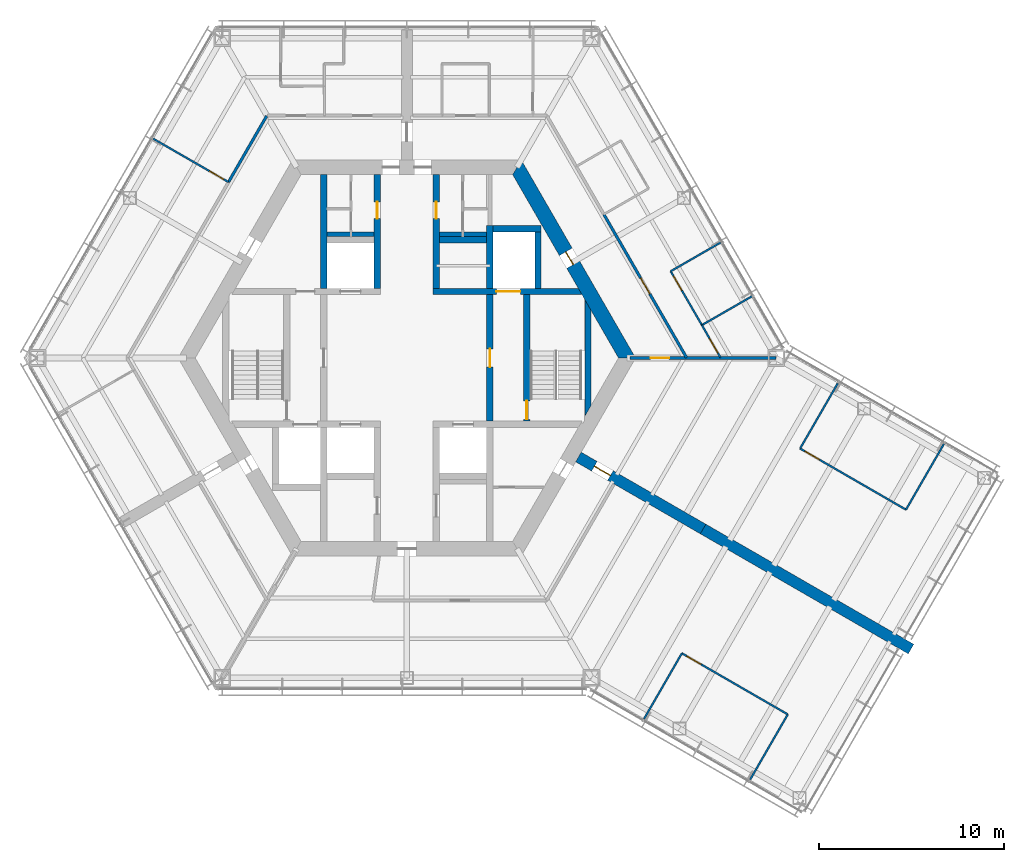
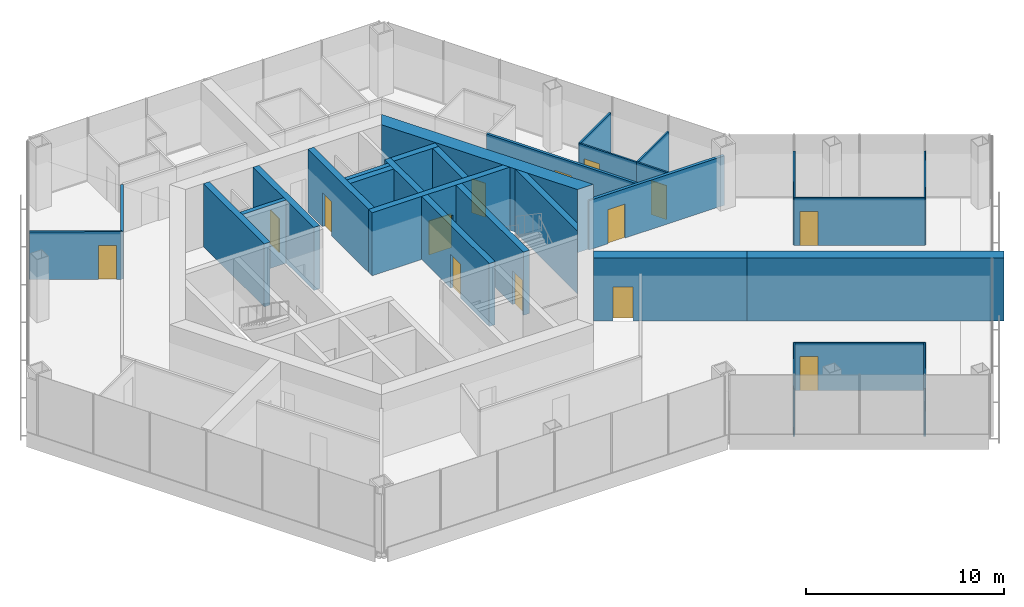
# One storey, part 11 of 15: 30 walls, 14 doors, 14 openings.
"""IFC4 building model written with IfcOpenShell, lengths in metres."""

from ifc_helpers import new_model, si_unit, direction, frame, frame_2d, origin, place, context, subcontext, project, spatial, polyline, rectangle, outline, extrude, material, layer, layer_set, type_object, element, fill, save


model = new_model("IFC4")

# Units and contexts
model_context = context("Model", 3, precision=1e-05, world=origin(), true_north=direction((0.0, 1.0)))
body_context = subcontext(model_context, "Body", "Model", "MODEL_VIEW")
ifc_project = project(units=[si_unit("LENGTHUNIT", "METRE"), si_unit("AREAUNIT", "SQUARE_METRE"), si_unit("VOLUMEUNIT", "CUBIC_METRE"), si_unit("PLANEANGLEUNIT", "RADIAN"), si_unit("MASSUNIT", "GRAM", prefix="KILO")], contexts=[model_context])

# Site, building, storey
site_placement = place(None, origin())
site = spatial("IfcSite", under=ifc_project, at=site_placement, CompositionType="ELEMENT")
building_placement = place(site_placement, origin())
building = spatial("IfcBuilding", under=site, at=building_placement, Name="Kasaneha Research Tower", CompositionType="ELEMENT")
storey_placement = place(building_placement, frame((0.0, 0.0, 212.800048828125)))
storey = spatial("IfcBuildingStorey", under=building, at=storey_placement, Name="L53", CompositionType="ELEMENT", Elevation=212.800048828125)

# Wall, opening, door
ifc_material_1 = material(Name="Concrete Fc60", Category="concrete")
ifc_layer_1 = layer(ifc_material_1, 0.35009765625)
ifc_layer_set_1 = layer_set([ifc_layer_1], Name="Core internal wall 350 Fc60")
wall_type_1 = type_object("IfcWallType", Name="Core internal wall 350 Fc60", PredefinedType="SHEAR", material=ifc_layer_set_1)
wall_1_placement = place(storey_placement, frame((1.425048828125, 3.60009765625, 0.0), z_axis=(0.0, 0.0, 1.0), x_axis=(1.0, 0.0, 0.0)))
wall_1 = element("IfcWall", 1, at=wall_1_placement, inside=storey, type_object=wall_type_1, Name="Core wall W1E L53", PredefinedType="SHEAR", context=body_context, shape_type="SweptSolid", body=[
    extrude(outline(polyline([(0.0, -0.175048828125), (3.425048828125, -0.175048828125), (4.72509765625, -0.175048828125), (8.057861328125, -0.175048828125), (7.855712890625, 0.175048828125), (4.72509765625, 0.175048828125), (3.425048828125, 0.175048828125), (0.0, 0.175048828125), (0.0, -0.175048828125)])), origin(), (0.0, 0.0, 1.0), 3.89990234375),
])
opening_1_placement = place(wall_1_placement, frame((3.425048828125, 0.0, 0.0)))
opening_1 = element("IfcOpeningElement", 2, at=opening_1_placement, cuts=wall_1, Name="Opening LD-FL1-L53", PredefinedType="OPENING", context=body_context, shape_type="SweptSolid", body=[
    extrude(rectangle(XDim=1.300048828125, YDim=2.10009765625, at=frame_2d((0.64990234375, 1.050048828125))), frame((0.0, 0.18505859375, 0.0), z_axis=(0.0, -1.0, 0.0), x_axis=(1.0, 0.0, 0.0)), (0.0, 0.0, 1.0), 0.3701171875),
])
ifc_material_2 = material(Name="Steel", Category="steel")
door_type_1 = type_object("IfcDoorType", Name="Lift landing door 1300x2100", OperationType="DOUBLE_DOOR_SLIDING", PredefinedType="DOOR", material=ifc_material_2)
door_1_placement = place(opening_1_placement, origin())
door_1 = element("IfcDoor", 3, at=door_1_placement, inside=storey, type_object=door_type_1, Name="Landing door FL1 LD-FL1-L53", OperationType="DOUBLE_DOOR_SLIDING", OverallHeight=2.10009765625, OverallWidth=1.300048828125, PredefinedType="DOOR", context=body_context, shape_type="SweptSolid", body=[
    extrude(rectangle(XDim=1.300048828125, YDim=2.10009765625, at=frame_2d((0.64990234375, 1.050048828125))), frame((0.0, 0.02490234375, 0.0), z_axis=(0.0, -1.0, 0.0), x_axis=(1.0, 0.0, 0.0)), (0.0, 0.0, 1.0), 0.050048828125),
])
fill(opening_1, door_1)

wall_2_placement = place(storey_placement, frame((-1.60009765625, 3.77490234375, 0.0), z_axis=(0.0, 0.0, 1.0), x_axis=(0.0, 1.0, 0.0)))
wall_2 = element("IfcWall", 4, at=wall_2_placement, inside=storey, type_object=wall_type_1, Name="Core wall CNW L53", PredefinedType="SHEAR", context=body_context, shape_type="SweptSolid", body=[
    extrude(rectangle(XDim=6.150146484375, YDim=0.35009765625, at=frame_2d((3.0751953125, 0.0))), origin(), (0.0, 0.0, 1.0), 3.89990234375),
])
opening_2_placement = place(wall_2_placement, frame((3.77490234375, 0.0, 0.0)))
opening_2 = element("IfcOpeningElement", 5, at=opening_2_placement, cuts=wall_2, Name="Opening L53-D13", PredefinedType="OPENING", context=body_context, shape_type="SweptSolid", body=[
    extrude(rectangle(XDim=0.89990234375, YDim=2.10009765625, at=frame_2d((0.449951171875, 1.050048828125))), frame((0.0, 0.18505859375, 0.0), z_axis=(0.0, -1.0, 0.0), x_axis=(1.0, 0.0, 0.0)), (0.0, 0.0, 1.0), 0.3701171875),
])
ifc_material_3 = material(Name="Steel", Category="steel")
door_type_2 = type_object("IfcDoorType", Name="Toilet door FD20 900x2100", OperationType="NOTDEFINED", PredefinedType="DOOR", material=ifc_material_3)
door_2_placement = place(opening_2_placement, origin())
door_2 = element("IfcDoor", 6, at=door_2_placement, inside=storey, type_object=door_type_2, Name="Men's WC door L53-D13", OperationType="SINGLE_SWING_LEFT", OverallHeight=2.10009765625, OverallWidth=0.89990234375, PredefinedType="DOOR", context=body_context, shape_type="SweptSolid", body=[
    extrude(rectangle(XDim=0.89990234375, YDim=2.10009765625, at=frame_2d((0.449951171875, 1.050048828125))), frame((0.0, 0.02490234375, 0.0), z_axis=(0.0, -1.0, 0.0), x_axis=(1.0, 0.0, 0.0)), (0.0, 0.0, 1.0), 0.050048828125),
])
fill(opening_2, door_2)

wall_3_placement = place(storey_placement, frame((1.60009765625, 3.77490234375, 0.0), z_axis=(0.0, 0.0, 1.0), x_axis=(0.0, 1.0, 0.0)))
wall_3 = element("IfcWall", 7, at=wall_3_placement, inside=storey, type_object=wall_type_1, Name="Core wall CNE L53", PredefinedType="SHEAR", context=body_context, shape_type="SweptSolid", body=[
    extrude(rectangle(XDim=6.150146484375, YDim=0.35009765625, at=frame_2d((3.0751953125, 0.0))), origin(), (0.0, 0.0, 1.0), 3.89990234375),
])
opening_3_placement = place(wall_3_placement, frame((3.77490234375, 0.0, 0.0)))
opening_3 = element("IfcOpeningElement", 8, at=opening_3_placement, cuts=wall_3, Name="Opening L53-D14", PredefinedType="OPENING", context=body_context, shape_type="SweptSolid", body=[
    extrude(rectangle(XDim=0.89990234375, YDim=2.10009765625, at=frame_2d((0.449951171875, 1.050048828125))), frame((0.0, 0.18505859375, 0.0), z_axis=(0.0, -1.0, 0.0), x_axis=(1.0, 0.0, 0.0)), (0.0, 0.0, 1.0), 0.3701171875),
])
door_3_placement = place(opening_3_placement, origin())
door_3 = element("IfcDoor", 9, at=door_3_placement, inside=storey, type_object=door_type_2, Name="Women's WC door L53-D14", OperationType="SINGLE_SWING_LEFT", OverallHeight=2.10009765625, OverallWidth=0.89990234375, PredefinedType="DOOR", context=body_context, shape_type="SweptSolid", body=[
    extrude(rectangle(XDim=0.89990234375, YDim=2.10009765625, at=frame_2d((0.449951171875, 1.050048828125))), frame((0.0, 0.02490234375, 0.0), z_axis=(0.0, -1.0, 0.0), x_axis=(1.0, 0.0, 0.0)), (0.0, 0.0, 1.0), 0.050048828125),
])
fill(opening_3, door_3)

wall_4_placement = place(storey_placement, frame((4.5, -3.425048828125, 0.0), z_axis=(0.0, 0.0, 1.0), x_axis=(0.0, 1.0, 0.0)))
wall_4 = element("IfcWall", 10, at=wall_4_placement, inside=storey, type_object=wall_type_1, Name="Core wall LBE L53", PredefinedType="SHEAR", context=body_context, shape_type="SweptSolid", body=[
    extrude(rectangle(XDim=6.85009765625, YDim=0.35009765625, at=frame_2d((3.425048828125, 0.0))), origin(), (0.0, 0.0, 1.0), 3.89990234375),
])
opening_4_placement = place(wall_4_placement, frame((2.925048828125, 0.0, 0.0)))
opening_4 = element("IfcOpeningElement", 11, at=opening_4_placement, cuts=wall_4, Name="Opening L53-D08", PredefinedType="OPENING", context=body_context, shape_type="SweptSolid", body=[
    extrude(rectangle(XDim=1.0, YDim=2.10009765625, at=frame_2d((0.5, 1.050048828125))), frame((0.0, 0.18505859375, 0.0), z_axis=(0.0, -1.0, 0.0), x_axis=(1.0, 0.0, 0.0)), (0.0, 0.0, 1.0), 0.3701171875),
])
ifc_material_4 = material(Name="Steel", Category="steel")
door_type_3 = type_object("IfcDoorType", Name="Specified fire door FD60 1000x2100", OperationType="NOTDEFINED", PredefinedType="DOOR", material=ifc_material_4)
door_4_placement = place(opening_4_placement, origin())
door_4 = element("IfcDoor", 12, at=door_4_placement, inside=storey, type_object=door_type_3, Name="Lift lobby door east L53-D08", OperationType="SINGLE_SWING_LEFT", OverallHeight=2.10009765625, OverallWidth=1.0, PredefinedType="DOOR", context=body_context, shape_type="SweptSolid", body=[
    extrude(rectangle(XDim=1.0, YDim=2.10009765625, at=frame_2d((0.5, 1.050048828125))), frame((0.0, 0.02490234375, 0.0), z_axis=(0.0, -1.0, 0.0), x_axis=(1.0, 0.0, 0.0)), (0.0, 0.0, 1.0), 0.050048828125),
])
fill(opening_4, door_4)

wall_5_placement = place(storey_placement, frame((6.5, -3.425048828125, 0.0), z_axis=(0.0, 0.0, 1.0), x_axis=(0.0, 1.0, 0.0)))
wall_5 = element("IfcWall", 13, at=wall_5_placement, inside=storey, type_object=wall_type_1, Name="Core wall ANE L53", PredefinedType="SHEAR", context=body_context, shape_type="SweptSolid", body=[
    extrude(rectangle(XDim=6.85009765625, YDim=0.35009765625, at=frame_2d((3.425048828125, 0.0))), origin(), (0.0, 0.0, 1.0), 3.89990234375),
])
opening_5_placement = place(wall_5_placement, frame((0.10009765625, 0.0, 0.0)))
opening_5 = element("IfcOpeningElement", 14, at=opening_5_placement, cuts=wall_5, Name="Opening L53-D10", PredefinedType="OPENING", context=body_context, shape_type="SweptSolid", body=[
    extrude(rectangle(XDim=1.0, YDim=2.10009765625, at=frame_2d((0.5, 1.050048828125))), frame((0.0, 0.18505859375, 0.0), z_axis=(0.0, -1.0, 0.0), x_axis=(1.0, 0.0, 0.0)), (0.0, 0.0, 1.0), 0.3701171875),
])
door_5_placement = place(opening_5_placement, origin())
door_5 = element("IfcDoor", 15, at=door_5_placement, inside=storey, type_object=door_type_3, Name="Stair 1 door L53-D10", OperationType="SINGLE_SWING_LEFT", OverallHeight=2.10009765625, OverallWidth=1.0, PredefinedType="DOOR", context=body_context, shape_type="SweptSolid", body=[
    extrude(rectangle(XDim=1.0, YDim=2.10009765625, at=frame_2d((0.5, 1.050048828125))), frame((0.0, 0.02490234375, 0.0), z_axis=(0.0, -1.0, 0.0), x_axis=(1.0, 0.0, 0.0)), (0.0, 0.0, 1.0), 0.050048828125),
])
fill(opening_5, door_5)

# Walls
wall_6_placement = place(storey_placement, frame((-4.5, 3.77490234375, 0.0), z_axis=(0.0, 0.0, 1.0), x_axis=(0.0, 1.0, 0.0)))
element("IfcWall", 16, at=wall_6_placement, inside=storey, type_object=wall_type_1, Name="Core wall VNW L53", PredefinedType="SHEAR", context=body_context, shape_type="SweptSolid", body=[
    extrude(rectangle(XDim=6.150146484375, YDim=0.35009765625, at=frame_2d((3.0751953125, 0.0))), origin(), (0.0, 0.0, 1.0), 3.89990234375),
])
wall_7_placement = place(storey_placement, frame((4.5, 3.77490234375, 0.0), z_axis=(0.0, 0.0, 1.0), x_axis=(0.0, 1.0, 0.0)))
element("IfcWall", 17, at=wall_7_placement, inside=storey, type_object=wall_type_1, Name="Core wall FNE L53", PredefinedType="SHEAR", context=body_context, shape_type="SweptSolid", body=[
    extrude(rectangle(XDim=3.400146484375, YDim=0.35009765625, at=frame_2d((1.7001953125, 0.0))), origin(), (0.0, 0.0, 1.0), 3.89990234375),
])
wall_8_placement = place(storey_placement, frame((1.77490234375, 6.39990234375, 0.0), z_axis=(0.0, 0.0, 1.0), x_axis=(1.0, 0.0, 0.0)))
element("IfcWall", 18, at=wall_8_placement, inside=storey, type_object=wall_type_1, Name="Core wall N3N L53", PredefinedType="SHEAR", context=body_context, shape_type="SweptSolid", body=[
    extrude(rectangle(XDim=2.550048828125, YDim=0.35009765625, at=frame_2d((1.27490234375, 0.0))), origin(), (0.0, 0.0, 1.0), 3.89990234375),
])
wall_9_placement = place(storey_placement, frame((4.675048828125, 7.0, 0.0), z_axis=(0.0, 0.0, 1.0), x_axis=(1.0, 0.0, 0.0)))
element("IfcWall", 19, at=wall_9_placement, inside=storey, type_object=wall_type_1, Name="Core wall F1N L53", PredefinedType="SHEAR", context=body_context, shape_type="SweptSolid", body=[
    extrude(rectangle(XDim=2.599853515625, YDim=0.35009765625, at=frame_2d((1.2998046875, 0.0))), origin(), (0.0, 0.0, 1.0), 3.89990234375),
])
wall_10_placement = place(storey_placement, frame((7.10009765625, 3.77490234375, 0.0), z_axis=(0.0, 0.0, 1.0), x_axis=(0.0, 1.0, 0.0)))
element("IfcWall", 20, at=wall_10_placement, inside=storey, type_object=wall_type_1, Name="Core wall F1E L53", PredefinedType="SHEAR", context=body_context, shape_type="SweptSolid", body=[
    extrude(rectangle(XDim=3.050048828125, YDim=0.35009765625, at=frame_2d((1.52490234375, 0.0))), origin(), (0.0, 0.0, 1.0), 3.89990234375),
])
wall_11_placement = place(storey_placement, frame((9.807861328125, -2.8623046875, 0.0), z_axis=(0.0, 0.0, 1.0), x_axis=(0.0, 1.0, 0.0)))
element("IfcWall", 21, at=wall_11_placement, inside=storey, type_object=wall_type_1, Name="Core wall STE L53", PredefinedType="SHEAR", context=body_context, shape_type="SweptSolid", body=[
    extrude(outline(polyline([(0.30322265625, -0.175048828125), (5.42138671875, -0.175048828125), (6.02783203125, 0.175048828125), (-0.30322265625, 0.175048828125), (0.30322265625, -0.175048828125)])), origin(), (0.0, 0.0, 1.0), 3.89990234375),
])

# Wall, opening, door
ifc_material_5 = material(Name="Concrete Fc60", Category="concrete")
ifc_layer_2 = layer(ifc_material_5, 0.800048828125)
ifc_layer_set_2 = layer_set([ifc_layer_2], Name="Core wall 800 Fc60")
wall_type_2 = type_object("IfcWallType", Name="Core wall 800 Fc60", PredefinedType="SHEAR", material=ifc_layer_set_2)
wall_12_placement = place(storey_placement, frame((11.92236328125, 0.0, 0.0), z_axis=(0.0, 0.0, 1.0), x_axis=(-0.500004296715, 0.866022923061, 0.0)))
wall_12 = element("IfcWall", 22, at=wall_12_placement, inside=storey, type_object=wall_type_2, Name="Core wall 030 L53", PredefinedType="SHEAR", context=body_context, shape_type="SweptSolid", body=[
    extrude(outline(polyline([(-0.23095703125, -0.39990234375), (5.83544921875, -0.39990234375), (6.635498046875, -0.39990234375), (12.1533203125, -0.39990234375), (11.69140625, 0.39990234375), (6.635498046875, 0.39990234375), (5.83544921875, 0.39990234375), (0.23095703125, 0.39990234375), (-0.23095703125, -0.39990234375)])), origin(), (0.0, 0.0, 1.0), 3.89990234375),
])
opening_6_placement = place(wall_12_placement, frame((5.83544921875, 0.0, 0.0)))
opening_6 = element("IfcOpeningElement", 23, at=opening_6_placement, cuts=wall_12, Name="Opening L53-D04", PredefinedType="OPENING", context=body_context, shape_type="SweptSolid", body=[
    extrude(rectangle(XDim=0.800048828125, YDim=2.10009765625, at=frame_2d((0.39990234375, 1.050048828125))), frame((0.0, 0.41015625, 0.0), z_axis=(0.0, -1.0, 0.0), x_axis=(1.0, 0.0, 0.0)), (0.0, 0.0, 1.0), 0.820068359375),
])
ifc_material_6 = material(Name="Steel", Category="steel")
door_type_4 = type_object("IfcDoorType", Name="Riser access door FD60 800x2100", OperationType="NOTDEFINED", PredefinedType="DOOR", material=ifc_material_6)
door_6_placement = place(opening_6_placement, origin())
door_6 = element("IfcDoor", 24, at=door_6_placement, inside=storey, type_object=door_type_4, Name="Pipe riser door L53-D04", OperationType="SINGLE_SWING_RIGHT", OverallHeight=2.10009765625, OverallWidth=0.800048828125, PredefinedType="DOOR", context=body_context, shape_type="SweptSolid", body=[
    extrude(rectangle(XDim=0.800048828125, YDim=2.10009765625, at=frame_2d((0.39990234375, 1.050048828125))), frame((0.0, 0.02490234375, 0.0), z_axis=(0.0, -1.0, 0.0), x_axis=(1.0, 0.0, 0.0)), (0.0, 0.0, 1.0), 0.050048828125),
])
fill(opening_6, door_6)

# Walls
ifc_material_7 = material(Name="Gypsum board on steel studs, one layer each side", Category="steel")
ifc_layer_3 = layer(ifc_material_7, 0.10009765625)
ifc_layer_set_3 = layer_set([ifc_layer_3], Name="Office partition 100")
wall_type_3 = type_object("IfcWallType", Name="Office partition 100", PredefinedType="PARTITIONING", material=ifc_layer_set_3)
wall_13_placement = place(storey_placement, frame((18.682861328125, 3.339111328125, 0.0), z_axis=(0.0, 0.0, 1.0), x_axis=(-0.866847293351, -0.49857373578, 0.0)))
element("IfcWall", 25, at=wall_13_placement, inside=storey, type_object=wall_type_3, Name="Office partition FAE15 L53", PredefinedType="PARTITIONING", context=body_context, shape_type="SweptSolid", body=[
    extrude(rectangle(XDim=3.129150390625, YDim=0.10009765625, at=frame_2d((1.564453125, 0.0))), origin(), (0.0, 0.0, 1.0), 2.949951171875),
])
wall_14_placement = place(storey_placement, frame((14.287109375, 4.6953125, 0.0), z_axis=(0.0, 0.0, 1.0), x_axis=(0.866036558865, 0.499980678337, 0.0)))
element("IfcWall", 26, at=wall_14_placement, inside=storey, type_object=wall_type_3, Name="Office partition FAE16 L53", PredefinedType="PARTITIONING", context=body_context, shape_type="SweptSolid", body=[
    extrude(rectangle(XDim=3.10986328125, YDim=0.10009765625, at=frame_2d((1.554931640625, 0.0))), origin(), (0.0, 0.0, 1.0), 2.949951171875),
])

# Wall, opening, door
wall_15_placement = place(storey_placement, frame((15.97705078125, 1.777099609375, 0.0), z_axis=(0.0, 0.0, 1.0), x_axis=(-0.501136151853, 0.865368451763, 0.0)))
wall_15 = element("IfcWall", 27, at=wall_15_placement, inside=storey, type_object=wall_type_3, Name="Office partition FAE17 L53", PredefinedType="PARTITIONING", context=body_context, shape_type="SweptSolid", body=[
    extrude(rectangle(XDim=3.372314453125, YDim=0.10009765625, at=frame_2d((1.68603515625, 0.0))), origin(), (0.0, 0.0, 1.0), 2.949951171875),
])
opening_7_placement = place(wall_15_placement, frame((2.172119140625, 0.0, 0.0)))
opening_7 = element("IfcOpeningElement", 28, at=opening_7_placement, cuts=wall_15, Name="Opening L53-D31", PredefinedType="OPENING", context=body_context, shape_type="SweptSolid", body=[
    extrude(rectangle(XDim=0.89990234375, YDim=2.10009765625, at=frame_2d((0.449951171875, 1.050048828125))), frame((0.0, 0.06005859375, 0.0), z_axis=(0.0, -1.0, 0.0), x_axis=(1.0, 0.0, 0.0)), (0.0, 0.0, 1.0), 0.1201171875),
])
ifc_material_8 = material(Name="Timber veneer", Category="wood")
door_type_5 = type_object("IfcDoorType", Name="Office door 900x2100", OperationType="SINGLE_SWING_LEFT", PredefinedType="DOOR", material=ifc_material_8)
door_7_placement = place(opening_7_placement, origin())
door_7 = element("IfcDoor", 29, at=door_7_placement, inside=storey, type_object=door_type_5, Name="Workroom door L53-D31", OperationType="SINGLE_SWING_RIGHT", OverallHeight=2.10009765625, OverallWidth=0.89990234375, PredefinedType="DOOR", context=body_context, shape_type="SweptSolid", body=[
    extrude(rectangle(XDim=0.89990234375, YDim=2.10009765625, at=frame_2d((0.449951171875, 1.050048828125))), frame((0.0, 0.02490234375, 0.0), z_axis=(0.0, -1.0, 0.0), x_axis=(1.0, 0.0, 0.0)), (0.0, 0.0, 1.0), 0.050048828125),
])
fill(opening_7, door_7)

wall_16_placement = place(storey_placement, frame((16.986083984375, 0.02001953125, 0.0), z_axis=(0.0, 0.0, 1.0), x_axis=(-0.497993381906, 0.867180829803, 0.0)))
wall_16 = element("IfcWall", 30, at=wall_16_placement, inside=storey, type_object=wall_type_3, Name="Office partition FAE18 L53", PredefinedType="PARTITIONING", context=body_context, shape_type="SweptSolid", body=[
    extrude(rectangle(XDim=2.026123046875, YDim=0.10009765625, at=frame_2d((1.01318359375, 0.0))), origin(), (0.0, 0.0, 1.0), 2.949951171875),
])
opening_8_placement = place(wall_16_placement, frame((0.300048828125, 0.0, 0.0)))
opening_8 = element("IfcOpeningElement", 31, at=opening_8_placement, cuts=wall_16, Name="Opening L53-D32", PredefinedType="OPENING", context=body_context, shape_type="SweptSolid", body=[
    extrude(rectangle(XDim=0.89990234375, YDim=2.10009765625, at=frame_2d((0.449951171875, 1.050048828125))), frame((0.0, 0.06005859375, 0.0), z_axis=(0.0, -1.0, 0.0), x_axis=(1.0, 0.0, 0.0)), (0.0, 0.0, 1.0), 0.1201171875),
])
door_8_placement = place(opening_8_placement, origin())
door_8 = element("IfcDoor", 32, at=door_8_placement, inside=storey, type_object=door_type_5, Name="Phone room door L53-D32", OperationType="SINGLE_SWING_LEFT", OverallHeight=2.10009765625, OverallWidth=0.89990234375, PredefinedType="DOOR", context=body_context, shape_type="SweptSolid", body=[
    extrude(rectangle(XDim=0.89990234375, YDim=2.10009765625, at=frame_2d((0.449951171875, 1.050048828125))), frame((0.0, 0.02490234375, 0.0), z_axis=(0.0, -1.0, 0.0), x_axis=(1.0, 0.0, 0.0)), (0.0, 0.0, 1.0), 0.050048828125),
])
fill(opening_8, door_8)

wall_17_placement = place(storey_placement, frame((-9.656494140625, 9.5244140625, 0.0), z_axis=(0.0, 0.0, 1.0), x_axis=(-0.866526579402, 0.499130931911, 0.0)))
wall_17 = element("IfcWall", 33, at=wall_17_placement, inside=storey, type_object=wall_type_3, Name="Office partition FBN05 L53", PredefinedType="PARTITIONING", context=body_context, shape_type="SweptSolid", body=[
    extrude(rectangle(XDim=4.705322265625, YDim=0.10009765625, at=frame_2d((2.3525390625, 0.0))), origin(), (0.0, 0.0, 1.0), 2.949951171875),
])
opening_9_placement = place(wall_17_placement, frame((0.300048828125, 0.0, 0.0)))
opening_9 = element("IfcOpeningElement", 34, at=opening_9_placement, cuts=wall_17, Name="Opening L53-D37", PredefinedType="OPENING", context=body_context, shape_type="SweptSolid", body=[
    extrude(rectangle(XDim=0.89990234375, YDim=2.10009765625, at=frame_2d((0.449951171875, 1.050048828125))), frame((0.0, 0.06005859375, 0.0), z_axis=(0.0, -1.0, 0.0), x_axis=(1.0, 0.0, 0.0)), (0.0, 0.0, 1.0), 0.1201171875),
])
door_9_placement = place(opening_9_placement, origin())
door_9 = element("IfcDoor", 35, at=door_9_placement, inside=storey, type_object=door_type_5, Name="Manager's office door L53-D37", OperationType="SINGLE_SWING_LEFT", OverallHeight=2.10009765625, OverallWidth=0.89990234375, PredefinedType="DOOR", context=body_context, shape_type="SweptSolid", body=[
    extrude(rectangle(XDim=0.89990234375, YDim=2.10009765625, at=frame_2d((0.449951171875, 1.050048828125))), frame((0.0, 0.02490234375, 0.0), z_axis=(0.0, -1.0, 0.0), x_axis=(1.0, 0.0, 0.0)), (0.0, 0.0, 1.0), 0.050048828125),
])
fill(opening_9, door_9)

# Wall
wall_18_placement = place(storey_placement, frame((21.292236328125, -4.903076171875, 0.0), z_axis=(0.0, 0.0, 1.0), x_axis=(0.500000428765, 0.866025156237, 0.0)))
element("IfcWall", 36, at=wall_18_placement, inside=storey, type_object=wall_type_3, Name="Office partition FCE01 L53", PredefinedType="PARTITIONING", context=body_context, shape_type="SweptSolid", body=[
    extrude(rectangle(XDim=4.080078125, YDim=0.10009765625, at=frame_2d((2.0400390625, 0.0))), origin(), (0.0, 0.0, 1.0), 2.949951171875),
])

# Wall, opening, door
wall_19_placement = place(storey_placement, frame((27.02490234375, -8.212890625, 0.0), z_axis=(0.0, 0.0, 1.0), x_axis=(-0.866021597574, 0.500006592492, 0.0)))
wall_19 = element("IfcWall", 37, at=wall_19_placement, inside=storey, type_object=wall_type_3, Name="Office partition FCE02 L53", PredefinedType="PARTITIONING", context=body_context, shape_type="SweptSolid", body=[
    extrude(rectangle(XDim=6.61962890625, YDim=0.10009765625, at=frame_2d((3.309814453125, 0.0))), origin(), (0.0, 0.0, 1.0), 2.949951171875),
])
opening_10_placement = place(wall_19_placement, frame((5.419677734375, 0.0, 0.0)))
opening_10 = element("IfcOpeningElement", 38, at=opening_10_placement, cuts=wall_19, Name="Opening L53-D40", PredefinedType="OPENING", context=body_context, shape_type="SweptSolid", body=[
    extrude(rectangle(XDim=0.89990234375, YDim=2.10009765625, at=frame_2d((0.449951171875, 1.050048828125))), frame((0.0, 0.06005859375, 0.0), z_axis=(0.0, -1.0, 0.0), x_axis=(1.0, 0.0, 0.0)), (0.0, 0.0, 1.0), 0.1201171875),
])
door_10_placement = place(opening_10_placement, origin())
door_10 = element("IfcDoor", 39, at=door_10_placement, inside=storey, type_object=door_type_5, Name="Project room door L53-D40", OperationType="SINGLE_SWING_RIGHT", OverallHeight=2.10009765625, OverallWidth=0.89990234375, PredefinedType="DOOR", context=body_context, shape_type="SweptSolid", body=[
    extrude(rectangle(XDim=0.89990234375, YDim=2.10009765625, at=frame_2d((0.449951171875, 1.050048828125))), frame((0.0, 0.02490234375, 0.0), z_axis=(0.0, -1.0, 0.0), x_axis=(1.0, 0.0, 0.0)), (0.0, 0.0, 1.0), 0.050048828125),
])
fill(opening_10, door_10)

# Walls
wall_20_placement = place(storey_placement, frame((29.080078125, -4.6533203125, 0.0), z_axis=(0.0, 0.0, 1.0), x_axis=(-0.500010383074, -0.866019409031, 0.0)))
element("IfcWall", 40, at=wall_20_placement, inside=storey, type_object=wall_type_3, Name="Office partition FCE03 L53", PredefinedType="PARTITIONING", context=body_context, shape_type="SweptSolid", body=[
    extrude(rectangle(XDim=4.1103515625, YDim=0.10009765625, at=frame_2d((2.05517578125, 0.0))), origin(), (0.0, 0.0, 1.0), 2.949951171875),
])
wall_21_placement = place(storey_placement, frame((12.837158203125, -19.547607421875, 0.0), z_axis=(0.0, 0.0, 1.0), x_axis=(0.499965833383, 0.866045128991, 0.0)))
element("IfcWall", 41, at=wall_21_placement, inside=storey, type_object=wall_type_3, Name="Office partition FCS04 L53", PredefinedType="PARTITIONING", context=body_context, shape_type="SweptSolid", body=[
    extrude(rectangle(XDim=4.110107421875, YDim=0.10009765625, at=frame_2d((2.05517578125, 0.0))), origin(), (0.0, 0.0, 1.0), 2.949951171875),
])

# Wall, opening, door
wall_22_placement = place(storey_placement, frame((14.89208984375, -15.988037109375, 0.0), z_axis=(0.0, 0.0, 1.0), x_axis=(0.866030817826, -0.499990622488, 0.0)))
wall_22 = element("IfcWall", 42, at=wall_22_placement, inside=storey, type_object=wall_type_3, Name="Office partition FCS05 L53", PredefinedType="PARTITIONING", context=body_context, shape_type="SweptSolid", body=[
    extrude(rectangle(XDim=6.619873046875, YDim=0.10009765625, at=frame_2d((3.31005859375, 0.0))), origin(), (0.0, 0.0, 1.0), 2.949951171875),
])
opening_11_placement = place(wall_22_placement, frame((0.300048828125, 0.0, 0.0)))
opening_11 = element("IfcOpeningElement", 43, at=opening_11_placement, cuts=wall_22, Name="Opening L53-D42", PredefinedType="OPENING", context=body_context, shape_type="SweptSolid", body=[
    extrude(rectangle(XDim=0.89990234375, YDim=2.10009765625, at=frame_2d((0.449951171875, 1.050048828125))), frame((0.0, 0.06005859375, 0.0), z_axis=(0.0, -1.0, 0.0), x_axis=(1.0, 0.0, 0.0)), (0.0, 0.0, 1.0), 0.1201171875),
])
door_11_placement = place(opening_11_placement, origin())
door_11 = element("IfcDoor", 44, at=door_11_placement, inside=storey, type_object=door_type_5, Name="Meeting room door L53-D42", OperationType="SINGLE_SWING_LEFT", OverallHeight=2.10009765625, OverallWidth=0.89990234375, PredefinedType="DOOR", context=body_context, shape_type="SweptSolid", body=[
    extrude(rectangle(XDim=0.89990234375, YDim=2.10009765625, at=frame_2d((0.449951171875, 1.050048828125))), frame((0.0, 0.02490234375, 0.0), z_axis=(0.0, -1.0, 0.0), x_axis=(1.0, 0.0, 0.0)), (0.0, 0.0, 1.0), 0.050048828125),
])
fill(opening_11, door_11)

# Wall
wall_23_placement = place(storey_placement, frame((20.625, -19.2978515625, 0.0), z_axis=(0.0, 0.0, 1.0), x_axis=(-0.500000428765, -0.866025156237, 0.0)))
element("IfcWall", 45, at=wall_23_placement, inside=storey, type_object=wall_type_3, Name="Office partition FCS06 L53", PredefinedType="PARTITIONING", context=body_context, shape_type="SweptSolid", body=[
    extrude(rectangle(XDim=4.080078125, YDim=0.10009765625, at=frame_2d((2.0400390625, 0.0))), origin(), (0.0, 0.0, 1.0), 2.949951171875),
])

# Wall, opening, door
ifc_material_9 = material(Name="Concrete Fc60", Category="concrete")
ifc_layer_4 = layer(ifc_material_9, 0.60009765625)
ifc_layer_set_4 = layer_set([ifc_layer_4], Name="Spine wall 600 Fc60")
wall_type_4 = type_object("IfcWallType", Name="Spine wall 600 Fc60", PredefinedType="SHEAR", material=ifc_layer_set_4)
wall_24_placement = place(storey_placement, frame((9.2880859375, -5.362548828125, 0.0), z_axis=(0.0, 0.0, 1.0), x_axis=(0.866031736626, -0.499989031036, 0.0)))
wall_24 = element("IfcWall", 46, at=wall_24_placement, inside=storey, type_object=wall_type_4, Name="Spine wall C L53", PredefinedType="SHEAR", context=body_context, shape_type="SweptSolid", body=[
    extrude(rectangle(XDim=7.795654296875, YDim=0.60009765625, at=frame_2d((3.89794921875, 0.0))), origin(), (0.0, 0.0, 1.0), 3.89990234375),
])
opening_12_placement = place(wall_24_placement, frame((1.0, 0.0, 0.0)))
opening_12 = element("IfcOpeningElement", 47, at=opening_12_placement, cuts=wall_24, Name="Opening L53-D19", PredefinedType="OPENING", context=body_context, shape_type="SweptSolid", body=[
    extrude(rectangle(XDim=1.0, YDim=2.10009765625, at=frame_2d((0.5, 1.050048828125))), frame((0.0, 0.31005859375, 0.0), z_axis=(0.0, -1.0, 0.0), x_axis=(1.0, 0.0, 0.0)), (0.0, 0.0, 1.0), 0.6201171875),
])
door_12_placement = place(opening_12_placement, origin())
door_12 = element("IfcDoor", 48, at=door_12_placement, inside=storey, type_object=door_type_3, Name="Spine doorway C L53-D19", OperationType="SINGLE_SWING_LEFT", OverallHeight=2.10009765625, OverallWidth=1.0, PredefinedType="DOOR", context=body_context, shape_type="SweptSolid", body=[
    extrude(rectangle(XDim=1.0, YDim=2.10009765625, at=frame_2d((0.5, 1.050048828125))), frame((0.0, 0.02490234375, 0.0), z_axis=(0.0, -1.0, 0.0), x_axis=(1.0, 0.0, 0.0)), (0.0, 0.0, 1.0), 0.050048828125),
])
fill(opening_12, door_12)

# Wall
wall_25_placement = place(storey_placement, frame((16.039306640625, -9.26025390625, 0.0), z_axis=(0.0, 0.0, 1.0), x_axis=(0.866024837091, -0.50000098154, 0.0)))
element("IfcWall", 49, at=wall_25_placement, inside=storey, type_object=wall_type_4, Name="Spine wall C wing L53", PredefinedType="SHEAR", context=body_context, shape_type="SweptSolid", body=[
    extrude(rectangle(XDim=13.0, YDim=0.60009765625, at=frame_2d((6.5, 0.0))), origin(), (0.0, 0.0, 1.0), 3.89990234375),
])

# Wall, opening, door
ifc_material_10 = material(Name="Gypsum board on steel studs, two layers each side", Category="steel")
ifc_layer_5 = layer(ifc_material_10, 0.14990234375)
ifc_layer_set_5 = layer_set([ifc_layer_5], Name="Suite partition 150")
wall_type_5 = type_object("IfcWallType", Name="Suite partition 150", PredefinedType="PARTITIONING", material=ifc_layer_set_5)
wall_26_placement = place(storey_placement, frame((10.664306640625, 7.77880859375, 0.0), z_axis=(0.0, 0.0, 1.0), x_axis=(0.49999608499, -0.866027664105, 0.0)))
wall_26 = element("IfcWall", 50, at=wall_26_placement, inside=storey, type_object=wall_type_5, Name="Suite partition FAE07 L53", PredefinedType="PARTITIONING", context=body_context, shape_type="SweptSolid", body=[
    extrude(rectangle(XDim=8.958984375, YDim=0.14990234375, at=frame_2d((4.4794921875, 0.0))), origin(), (0.0, 0.0, 1.0), 2.949951171875),
])
opening_13_placement = place(wall_26_placement, frame((3.9794921875, 0.0, 0.0)))
opening_13 = element("IfcOpeningElement", 51, at=opening_13_placement, cuts=wall_26, Name="Opening L53-D28", PredefinedType="OPENING", context=body_context, shape_type="SweptSolid", body=[
    extrude(rectangle(XDim=1.0, YDim=2.10009765625, at=frame_2d((0.5, 1.050048828125))), frame((0.0, 0.0849609375, 0.0), z_axis=(0.0, -1.0, 0.0), x_axis=(1.0, 0.0, 0.0)), (0.0, 0.0, 1.0), 0.169921875),
])
ifc_material_11 = material(Name="Steel", Category="steel")
door_type_6 = type_object("IfcDoorType", Name="Suite entrance door FD60 1000x2100", OperationType="NOTDEFINED", PredefinedType="DOOR", material=ifc_material_11)
door_13_placement = place(opening_13_placement, origin())
door_13 = element("IfcDoor", 52, at=door_13_placement, inside=storey, type_object=door_type_6, Name="Suite entrance door L53-D28", OperationType="SINGLE_SWING_RIGHT", OverallHeight=2.10009765625, OverallWidth=1.0, PredefinedType="DOOR", context=body_context, shape_type="SweptSolid", body=[
    extrude(rectangle(XDim=1.0, YDim=2.10009765625, at=frame_2d((0.5, 1.050048828125))), frame((0.0, 0.02490234375, 0.0), z_axis=(0.0, -1.0, 0.0), x_axis=(1.0, 0.0, 0.0)), (0.0, 0.0, 1.0), 0.050048828125),
])
fill(opening_13, door_13)

# Wall
wall_27_placement = place(storey_placement, frame((-9.661376953125, 9.51611328125, 0.0), z_axis=(0.0, 0.0, 1.0), x_axis=(0.499997836828, 0.866026652689, 0.0)))
element("IfcWall", 53, at=wall_27_placement, inside=storey, type_object=wall_type_5, Name="Suite partition FBN01 L53", PredefinedType="PARTITIONING", context=body_context, shape_type="SweptSolid", body=[
    extrude(rectangle(XDim=4.14404296875, YDim=0.14990234375, at=frame_2d((2.072021484375, 0.0))), origin(), (0.0, 0.0, 1.0), 2.949951171875),
])

# Wall, opening, door
ifc_material_12 = material(Name="Gypsum board on steel studs, two layers each side", Category="steel")
ifc_layer_6 = layer(ifc_material_12, 0.175048828125)
ifc_layer_set_6 = layer_set([ifc_layer_6], Name="Tenancy fire partition 175")
wall_type_6 = type_object("IfcWallType", Name="Tenancy fire partition 175", PredefinedType="PARTITIONING", material=ifc_layer_set_6)
wall_28_placement = place(storey_placement, frame((12.069580078125, 0.0, 0.0), z_axis=(0.0, 0.0, 1.0), x_axis=(1.0, 0.0, 0.0)))
wall_28 = element("IfcWall", 54, at=wall_28_placement, inside=storey, type_object=wall_type_6, Name="Tenancy fire partition T000 L53", PredefinedType="PARTITIONING", context=body_context, shape_type="SweptSolid", body=[
    extrude(rectangle(XDim=7.930419921875, YDim=0.175048828125, at=frame_2d((3.96533203125, 0.0))), origin(), (0.0, 0.0, 1.0), 3.050048828125),
])
opening_14_placement = place(wall_28_placement, frame((1.1298828125, 0.0, 0.0)))
opening_14 = element("IfcOpeningElement", 55, at=opening_14_placement, cuts=wall_28, Name="Opening L53-D25", PredefinedType="OPENING", context=body_context, shape_type="SweptSolid", body=[
    extrude(rectangle(XDim=1.0, YDim=2.10009765625, at=frame_2d((0.5, 1.050048828125))), frame((0.0, 0.09765625, 0.0), z_axis=(0.0, -1.0, 0.0), x_axis=(1.0, 0.0, 0.0)), (0.0, 0.0, 1.0), 0.195068359375),
])
door_14_placement = place(opening_14_placement, origin())
door_14 = element("IfcDoor", 56, at=door_14_placement, inside=storey, type_object=door_type_6, Name="Connecting door L53-D25", OperationType="SINGLE_SWING_RIGHT", OverallHeight=2.10009765625, OverallWidth=1.0, PredefinedType="DOOR", context=body_context, shape_type="SweptSolid", body=[
    extrude(rectangle(XDim=1.0, YDim=2.10009765625, at=frame_2d((0.5, 1.050048828125))), frame((0.0, 0.02490234375, 0.0), z_axis=(0.0, -1.0, 0.0), x_axis=(1.0, 0.0, 0.0)), (0.0, 0.0, 1.0), 0.050048828125),
])
fill(opening_14, door_14)

# Walls
ifc_material_13 = material(Name="Concrete block lining", Category="concrete")
ifc_layer_7 = layer(ifc_material_13, 0.25)
ifc_layer_set_7 = layer_set([ifc_layer_7], Name="WC plumbing wall 250")
wall_type_7 = type_object("IfcWallType", Name="WC plumbing wall 250", PredefinedType="PLUMBINGWALL", material=ifc_layer_set_7)
for number, where, z_axis, x_axis, name in (
    (57, (-4.324951171875, 6.699951171875, 0.0), (0.0, 0.0, 1.0), (1.0, 0.0, 0.0), "WC plumbing wall M L53"),
    (58, (1.77490234375, 6.699951171875, 0.0), (0.0, 0.0, 1.0), (1.0, 0.0, 0.0), "WC plumbing wall F L53"),
):
    element("IfcWall", number, at=place(storey_placement, frame(where, z_axis=z_axis, x_axis=x_axis)), inside=storey, type_object=wall_type_7, Name=name, PredefinedType="PLUMBINGWALL", context=body_context, shape_type="SweptSolid", body=[
        extrude(rectangle(XDim=2.550048828125, YDim=0.25, at=frame_2d((1.27490234375, 0.0))), origin(), (0.0, 0.0, 1.0), 3.89990234375),
    ])

save(model, "model.ifc")
